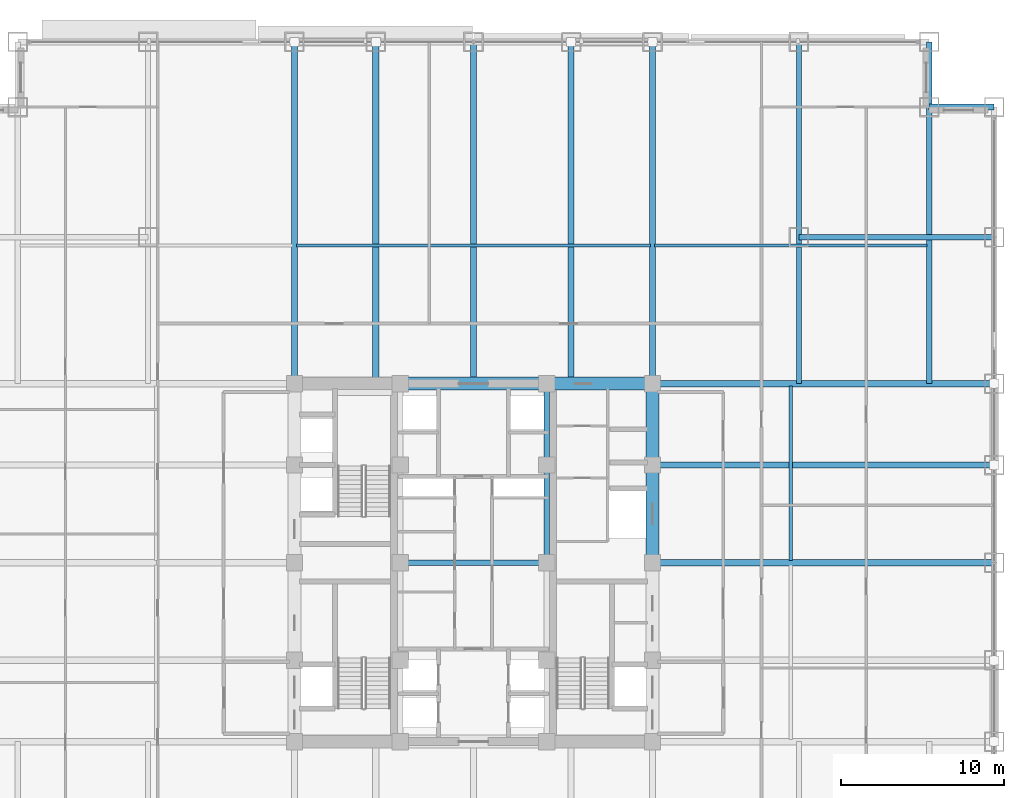
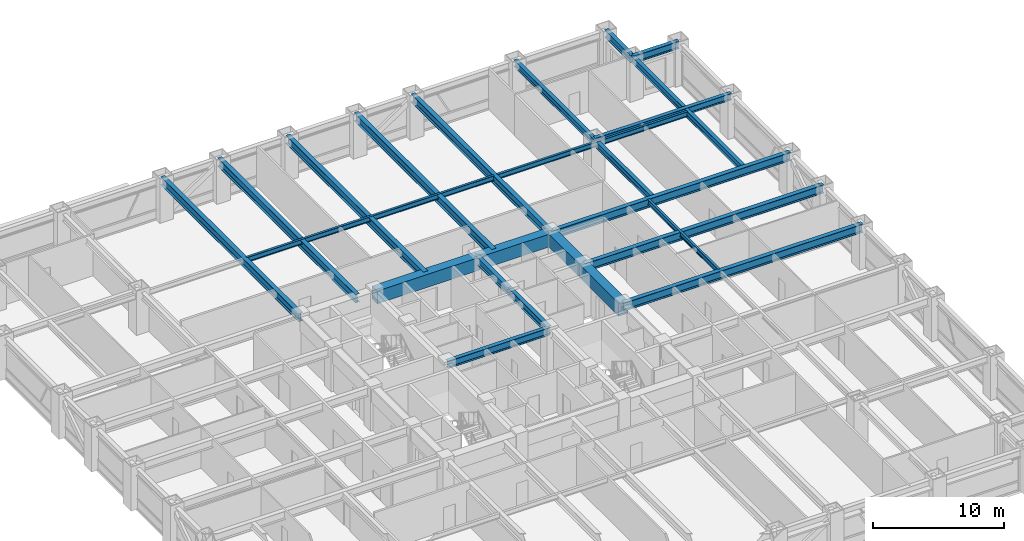
# One storey, part 11 of 32: 23 beams.
"""IFC4 building model written with IfcOpenShell, lengths in metres."""

from ifc_helpers import new_model, si_unit, direction, frame, origin, origin_2d, place, context, subcontext, project, spatial, rectangle, i_section, extrude, source, transform, mapped, material, material_profile, profile_set, type_object, element, save


model = new_model("IFC4")

# Units and contexts
model_context = context("Model", 3, precision=1e-05, world=origin(), true_north=direction((0.0, 1.0)))
body_context = subcontext(model_context, "Body", "Model", "MODEL_VIEW")
ifc_project = project(units=[si_unit("LENGTHUNIT", "METRE"), si_unit("AREAUNIT", "SQUARE_METRE"), si_unit("VOLUMEUNIT", "CUBIC_METRE"), si_unit("PLANEANGLEUNIT", "RADIAN"), si_unit("MASSUNIT", "GRAM", prefix="KILO")], contexts=[model_context])

# Site, building, storey
site_placement = place(None, origin())
site = spatial("IfcSite", under=ifc_project, at=site_placement, CompositionType="ELEMENT")
building_placement = place(site_placement, origin())
building = spatial("IfcBuilding", under=site, at=building_placement, Name="Khorayat Bourse Tower", CompositionType="ELEMENT")
storey_placement = place(building_placement, frame((0.0, 0.0, 132.39990234375)))
storey = spatial("IfcBuildingStorey", under=building, at=storey_placement, Name="L30", CompositionType="ELEMENT", Elevation=132.39990234375)

# Beams
ifc_material_1 = material(Name="Concrete C72/90", Category="concrete")
ifc_material_profile_1 = material_profile(ifc_material_1, rectangle(XDim=0.800048828125, YDim=1.199951171875, at=origin_2d()), Name="RC 800x1200")
ifc_profile_set_1 = profile_set([ifc_material_profile_1], Name="Concrete C72/90")
beam_type_1 = type_object("IfcBeamType", Name="BM-COUP-1200", PredefinedType="BEAM", material=ifc_profile_set_1)
shared_shape_1 = source(origin(), body_context, "Body", "SweptSolid", [
    extrude(rectangle(XDim=0.800048828125, YDim=1.199951171875, at=origin_2d()), origin(), (0.0, 0.0, 1.0), 5.0),
])
beam_1_placement = place(storey_placement, frame((11.0, 6.0, 3.239990234375), z_axis=(0.0, 1.0, 0.0), x_axis=(-1.0, 0.0, 0.0)))
element("IfcBeam", 1, at=beam_1_placement, inside=storey, type_object=beam_type_1, Name="L30 BM-COUP-1200 BM-L30-CRX-16", PredefinedType="BEAM", context=body_context, shape_type="MappedRepresentation", body=[
    mapped(shared_shape_1, transform((0.0, 0.0, 0.0), scale=1.0)),
])
shared_shape_2 = source(origin(), body_context, "Body", "SweptSolid", [
    extrude(rectangle(XDim=0.800048828125, YDim=1.199951171875, at=origin_2d()), origin(), (0.0, 0.0, 1.0), 6.0),
])
beam_2_placement = place(storey_placement, frame((11.0, 0.0, 3.239990234375), z_axis=(0.0, 1.0, 0.0), x_axis=(-1.0, 0.0, 0.0)))
element("IfcBeam", 2, at=beam_2_placement, inside=storey, type_object=beam_type_1, Name="L30 BM-COUP-1200 BM-L30-CRX-15", PredefinedType="BEAM", context=body_context, shape_type="MappedRepresentation", body=[
    mapped(shared_shape_2, transform((0.0, 0.0, 0.0), scale=1.0)),
])
ifc_material_2 = material(Name="Steel ASTM A992 Grade 50", Category="steel")
ifc_material_profile_2 = material_profile(ifc_material_2, i_section(OverallWidth=0.35498046875, OverallDepth=0.695068359375, WebThickness=0.015380859375, FlangeThickness=0.02490234375, FilletRadius=0.01806640625, at=origin_2d()), Name="W690X217")
ifc_profile_set_2 = profile_set([ifc_material_profile_2], Name="Steel ASTM A992 Grade 50")
beam_type_2 = type_object("IfcBeamType", Name="BM-GIRD-690", PredefinedType="BEAM", material=ifc_profile_set_2)
shared_shape_3 = source(origin(), body_context, "Body", "SweptSolid", [
    extrude(i_section(OverallWidth=0.35498046875, OverallDepth=0.695068359375, WebThickness=0.015380859375, FlangeThickness=0.02490234375, FilletRadius=0.01806640625, at=origin_2d()), origin(), (0.0, 0.0, 1.0), 5.0),
])
beam_3_placement = place(storey_placement, frame((4.5, 6.0, 3.49267578125), z_axis=(0.0, 1.0, 0.0), x_axis=(-1.0, 0.0, 0.0)))
element("IfcBeam", 3, at=beam_3_placement, inside=storey, type_object=beam_type_2, Name="L30 BM-GIRD-690 BM-L30-CRX-12", PredefinedType="BEAM", context=body_context, shape_type="MappedRepresentation", body=[
    mapped(shared_shape_3, transform((0.0, 0.0, 0.0), scale=1.0)),
])
shared_shape_4 = source(origin(), body_context, "Body", "SweptSolid", [
    extrude(i_section(OverallWidth=0.35498046875, OverallDepth=0.695068359375, WebThickness=0.015380859375, FlangeThickness=0.02490234375, FilletRadius=0.01806640625, at=origin_2d()), origin(), (0.0, 0.0, 1.0), 6.0),
])
beam_4_placement = place(storey_placement, frame((4.5, 0.0, 3.49267578125), z_axis=(0.0, 1.0, 0.0), x_axis=(-1.0, 0.0, 0.0)))
element("IfcBeam", 4, at=beam_4_placement, inside=storey, type_object=beam_type_2, Name="L30 BM-GIRD-690 BM-L30-CRX-11", PredefinedType="BEAM", context=body_context, shape_type="MappedRepresentation", body=[
    mapped(shared_shape_4, transform((0.0, 0.0, 0.0), scale=1.0)),
])
shared_shape_5 = source(origin(), body_context, "Body", "SweptSolid", [
    extrude(rectangle(XDim=0.800048828125, YDim=1.199951171875, at=origin_2d()), origin(), (0.0, 0.0, 1.0), 6.5),
])
beam_5_placement = place(storey_placement, frame((4.5, 11.0, 3.239990234375), z_axis=(1.0, 0.0, 0.0), x_axis=(0.0, 1.0, 0.0)))
element("IfcBeam", 5, at=beam_5_placement, inside=storey, type_object=beam_type_1, Name="L30 BM-COUP-1200 BM-L30-CRY-22", PredefinedType="BEAM", context=body_context, shape_type="MappedRepresentation", body=[
    mapped(shared_shape_5, transform((0.0, 0.0, 0.0), scale=1.0)),
])
shared_shape_6 = source(origin(), body_context, "Body", "SweptSolid", [
    extrude(rectangle(XDim=0.800048828125, YDim=1.199951171875, at=origin_2d()), origin(), (0.0, 0.0, 1.0), 9.0),
])
beam_6_placement = place(storey_placement, frame((-4.5, 11.0, 3.239990234375), z_axis=(1.0, 0.0, 0.0), x_axis=(0.0, 1.0, 0.0)))
element("IfcBeam", 6, at=beam_6_placement, inside=storey, type_object=beam_type_1, Name="L30 BM-COUP-1200 BM-L30-CRY-21", PredefinedType="BEAM", context=body_context, shape_type="MappedRepresentation", body=[
    mapped(shared_shape_6, transform((0.0, 0.0, 0.0), scale=1.0)),
])
shared_shape_7 = source(origin(), body_context, "Body", "SweptSolid", [
    extrude(i_section(OverallWidth=0.35498046875, OverallDepth=0.695068359375, WebThickness=0.015380859375, FlangeThickness=0.02490234375, FilletRadius=0.01806640625, at=origin_2d()), origin(), (0.0, 0.0, 1.0), 9.0),
])
beam_7_placement = place(storey_placement, frame((-4.5, 0.0, 3.49267578125), z_axis=(1.0, 0.0, 0.0), x_axis=(0.0, 1.0, 0.0)))
element("IfcBeam", 7, at=beam_7_placement, inside=storey, type_object=beam_type_2, Name="L30 BM-GIRD-690 BM-L30-CRY-23", PredefinedType="BEAM", context=body_context, shape_type="MappedRepresentation", body=[
    mapped(shared_shape_7, transform((0.0, 0.0, 0.0), scale=1.0)),
])
ifc_material_profile_3 = material_profile(ifc_material_2, i_section(OverallWidth=0.324951171875, OverallDepth=0.615966796875, WebThickness=0.013916015625, FlangeThickness=0.021484375, FilletRadius=0.01611328125, at=origin_2d()), Name="W610X174")
ifc_profile_set_3 = profile_set([ifc_material_profile_3], Name="Steel ASTM A992 Grade 50")
beam_type_3 = type_object("IfcBeamType", Name="BM-GIRD-610", PredefinedType="BEAM", material=ifc_profile_set_3)
shared_shape_8 = source(origin(), body_context, "Body", "SweptSolid", [
    extrude(i_section(OverallWidth=0.324951171875, OverallDepth=0.615966796875, WebThickness=0.013916015625, FlangeThickness=0.021484375, FilletRadius=0.01611328125, at=origin_2d()), origin(), (0.0, 0.0, 1.0), 21.0),
])
beam_8_placement = place(storey_placement, frame((20.0, 11.0, 3.531982421875), z_axis=(0.0, 1.0, 0.0), x_axis=(-1.0, 0.0, 0.0)))
element("IfcBeam", 8, at=beam_8_placement, inside=storey, type_object=beam_type_3, Name="L30 BM-GIRD-610 BM-L30-CNRY-087", PredefinedType="BEAM", context=body_context, shape_type="MappedRepresentation", body=[
    mapped(shared_shape_8, transform((0.0, 0.0, 0.0), scale=1.0)),
])
shared_shape_9 = source(origin(), body_context, "Body", "SweptSolid", [
    extrude(i_section(OverallWidth=0.324951171875, OverallDepth=0.615966796875, WebThickness=0.013916015625, FlangeThickness=0.021484375, FilletRadius=0.01611328125, at=origin_2d()), origin(), (0.0, 0.0, 1.0), 12.0),
])
beam_9_placement = place(storey_placement, frame((20.0, 20.0, 3.531982421875), z_axis=(1.0, 0.0, 0.0), x_axis=(0.0, 1.0, 0.0)))
element("IfcBeam", 9, at=beam_9_placement, inside=storey, type_object=beam_type_3, Name="L30 BM-GIRD-610 BM-L30-CNRX-094", PredefinedType="BEAM", context=body_context, shape_type="MappedRepresentation", body=[
    mapped(shared_shape_9, transform((0.0, 0.0, 0.0), scale=1.0)),
])
ifc_material_profile_4 = material_profile(ifc_material_2, i_section(OverallWidth=0.194091796875, OverallDepth=0.468994140625, WebThickness=0.0126953125, FlangeThickness=0.0205078125, FilletRadius=0.012939453125, at=origin_2d()), Name="W460X106")
ifc_profile_set_4 = profile_set([ifc_material_profile_4], Name="Steel ASTM A992 Grade 50")
beam_type_4 = type_object("IfcBeamType", Name="BM-JOIST-460", PredefinedType="JOIST", material=ifc_profile_set_4)
shared_shape_10 = source(origin(), body_context, "Body", "SweptSolid", [
    extrude(i_section(OverallWidth=0.194091796875, OverallDepth=0.468994140625, WebThickness=0.0126953125, FlangeThickness=0.0205078125, FilletRadius=0.012939453125, at=origin_2d()), origin(), (0.0, 0.0, 1.0), 21.740234375),
])
beam_10_placement = place(storey_placement, frame((-10.8701171875, 19.5, 3.605712890625), z_axis=(1.0, 0.0, 0.0), x_axis=(0.0, 1.0, 0.0)))
element("IfcBeam", 10, at=beam_10_placement, inside=storey, type_object=beam_type_4, Name="L30 BM-JOIST-460 BM-L30-JSTX-100", PredefinedType="JOIST", context=body_context, shape_type="MappedRepresentation", body=[
    mapped(shared_shape_10, transform((0.0, 0.0, 0.0), scale=1.0)),
])
shared_shape_11 = source(origin(), body_context, "Body", "SweptSolid", [
    extrude(i_section(OverallWidth=0.194091796875, OverallDepth=0.468994140625, WebThickness=0.0126953125, FlangeThickness=0.0205078125, FilletRadius=0.012939453125, at=origin_2d()), origin(), (0.0, 0.0, 1.0), 10.740234375),
])
beam_11_placement = place(storey_placement, frame((19.5, 0.1298828125, 3.605712890625), z_axis=(0.0, 1.0, 0.0), x_axis=(-1.0, 0.0, 0.0)))
element("IfcBeam", 11, at=beam_11_placement, inside=storey, type_object=beam_type_4, Name="L30 BM-JOIST-460 BM-L30-JSTY-105", PredefinedType="JOIST", context=body_context, shape_type="MappedRepresentation", body=[
    mapped(shared_shape_11, transform((0.0, 0.0, 0.0), scale=1.0)),
])
ifc_material_profile_5 = material_profile(ifc_material_2, i_section(OverallWidth=0.35498046875, OverallDepth=0.695068359375, WebThickness=0.015380859375, FlangeThickness=0.02490234375, FilletRadius=0.01806640625, at=origin_2d()), Name="W690X217")
ifc_profile_set_5 = profile_set([ifc_material_profile_5], Name="Steel ASTM A992 Grade 50")
beam_type_5 = type_object("IfcBeamType", Name="BM-SPAN-690", PredefinedType="SPANDREL", material=ifc_profile_set_5)
shared_shape_12 = source(origin(), body_context, "Body", "SweptSolid", [
    extrude(i_section(OverallWidth=0.35498046875, OverallDepth=0.695068359375, WebThickness=0.015380859375, FlangeThickness=0.02490234375, FilletRadius=0.01806640625, at=origin_2d()), origin(), (0.0, 0.0, 1.0), 4.0),
])
for number, where, z_axis, x_axis, name in (
    (12, (28.0, 28.0, 3.49267578125), (1.0, 0.0, 0.0), (0.0, 1.0, 0.0), "L30 BM-SPAN-690 BM-L30-SPN-042"),
    (13, (28.0, 28.0, 3.49267578125), (0.0, 1.0, 0.0), (-1.0, 0.0, 0.0), "L30 BM-SPAN-690 BM-L30-SPN-043"),
):
    element("IfcBeam", number, at=place(storey_placement, frame(where, z_axis=z_axis, x_axis=x_axis)), inside=storey, type_object=beam_type_5, Name=name, PredefinedType="SPANDREL", context=body_context, shape_type="MappedRepresentation", body=[
        mapped(shared_shape_12, transform((0.0, 0.0, 0.0), scale=1.0)),
    ])
ifc_material_profile_6 = material_profile(ifc_material_2, i_section(OverallWidth=0.381103515625, OverallDepth=0.77294921875, WebThickness=0.0166015625, FlangeThickness=0.027587890625, FilletRadius=0.01806640625, at=origin_2d()), Name="W760X257")
ifc_profile_set_6 = profile_set([ifc_material_profile_6], Name="Steel ASTM A992 Grade 50")
beam_type_6 = type_object("IfcBeamType", Name="BM-GIRD-760", PredefinedType="BEAM", material=ifc_profile_set_6)
shared_shape_13 = source(origin(), body_context, "Body", "SweptSolid", [
    extrude(i_section(OverallWidth=0.381103515625, OverallDepth=0.77294921875, WebThickness=0.0166015625, FlangeThickness=0.027587890625, FilletRadius=0.01806640625, at=origin_2d()), origin(), (0.0, 0.0, 1.0), 21.0),
])
for number, where, z_axis, x_axis, name in (
    (14, (-11.0, 11.0, 3.45361328125), (0.0, 1.0, 0.0), (-1.0, 0.0, 0.0), "L30 BM-GIRD-760 BM-L30-RADY-064"),
    (15, (-6.0, 11.0, 3.45361328125), (0.0, 1.0, 0.0), (-1.0, 0.0, 0.0), "L30 BM-GIRD-760 BM-L30-RADY-066"),
    (16, (0.0, 11.0, 3.45361328125), (0.0, 1.0, 0.0), (-1.0, 0.0, 0.0), "L30 BM-GIRD-760 BM-L30-RADY-068"),
    (17, (6.0, 11.0, 3.45361328125), (0.0, 1.0, 0.0), (-1.0, 0.0, 0.0), "L30 BM-GIRD-760 BM-L30-RADY-070"),
    (18, (11.0, 11.0, 3.45361328125), (0.0, 1.0, 0.0), (-1.0, 0.0, 0.0), "L30 BM-GIRD-760 BM-L30-RADY-072"),
    (19, (11.0, 0.0, 3.45361328125), (1.0, 0.0, 0.0), (0.0, 1.0, 0.0), "L30 BM-GIRD-760 BM-L30-RADX-078"),
    (20, (11.0, 6.0, 3.45361328125), (1.0, 0.0, 0.0), (0.0, 1.0, 0.0), "L30 BM-GIRD-760 BM-L30-RADX-080"),
    (21, (11.0, 11.0, 3.45361328125), (1.0, 0.0, 0.0), (0.0, 1.0, 0.0), "L30 BM-GIRD-760 BM-L30-RADX-082"),
):
    element("IfcBeam", number, at=place(storey_placement, frame(where, z_axis=z_axis, x_axis=x_axis)), inside=storey, type_object=beam_type_6, Name=name, PredefinedType="BEAM", context=body_context, shape_type="MappedRepresentation", body=[
        mapped(shared_shape_13, transform((0.0, 0.0, 0.0), scale=1.0)),
    ])
shared_shape_14 = source(origin(), body_context, "Body", "SweptSolid", [
    extrude(i_section(OverallWidth=0.324951171875, OverallDepth=0.615966796875, WebThickness=0.013916015625, FlangeThickness=0.021484375, FilletRadius=0.01611328125, at=origin_2d()), origin(), (0.0, 0.0, 1.0), 17.0),
])
beam_12_placement = place(storey_placement, frame((28.0, 11.0, 3.531982421875), z_axis=(0.0, 1.0, 0.0), x_axis=(-1.0, 0.0, 0.0)))
element("IfcBeam", 22, at=beam_12_placement, inside=storey, type_object=beam_type_3, Name="L30 BM-GIRD-610 BM-L30-CNRY-091", PredefinedType="BEAM", context=body_context, shape_type="MappedRepresentation", body=[
    mapped(shared_shape_14, transform((0.0, 0.0, 0.0), scale=1.0)),
])
shared_shape_15 = source(origin(), body_context, "Body", "SweptSolid", [
    extrude(i_section(OverallWidth=0.194091796875, OverallDepth=0.468994140625, WebThickness=0.0126953125, FlangeThickness=0.0205078125, FilletRadius=0.012939453125, at=origin_2d()), origin(), (0.0, 0.0, 1.0), 16.740234375),
])
beam_13_placement = place(storey_placement, frame((11.1298828125, 19.5, 3.605712890625), z_axis=(1.0, 0.0, 0.0), x_axis=(0.0, 1.0, 0.0)))
element("IfcBeam", 23, at=beam_13_placement, inside=storey, type_object=beam_type_4, Name="L30 BM-JOIST-460 BM-L30-JSTX-101", PredefinedType="JOIST", context=body_context, shape_type="MappedRepresentation", body=[
    mapped(shared_shape_15, transform((0.0, 0.0, 0.0), scale=1.0)),
])

save(model, "model.ifc")
